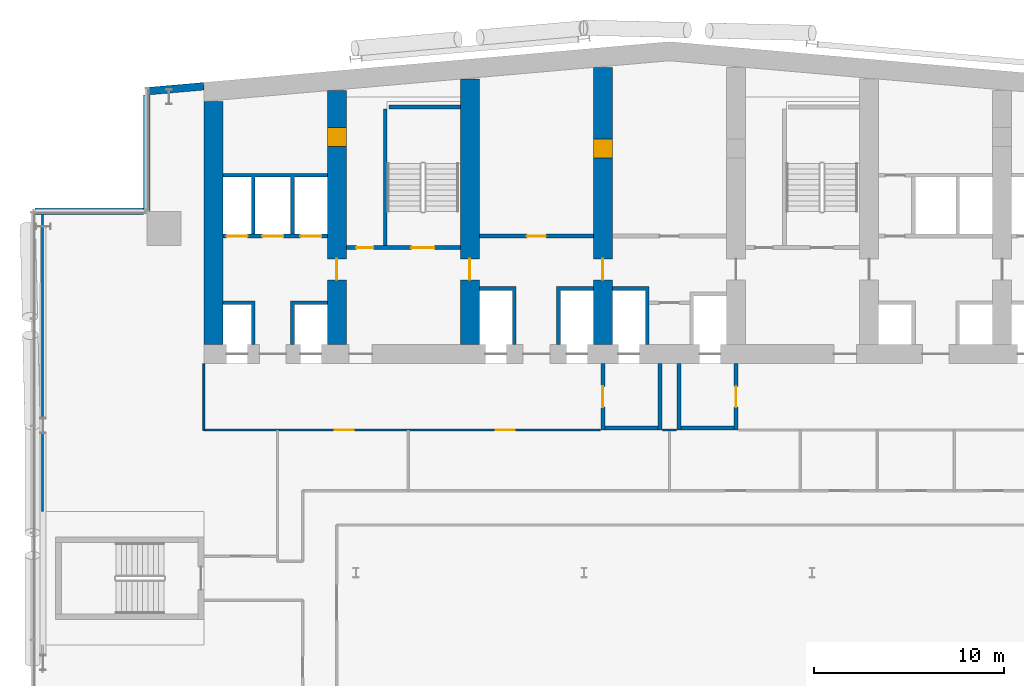
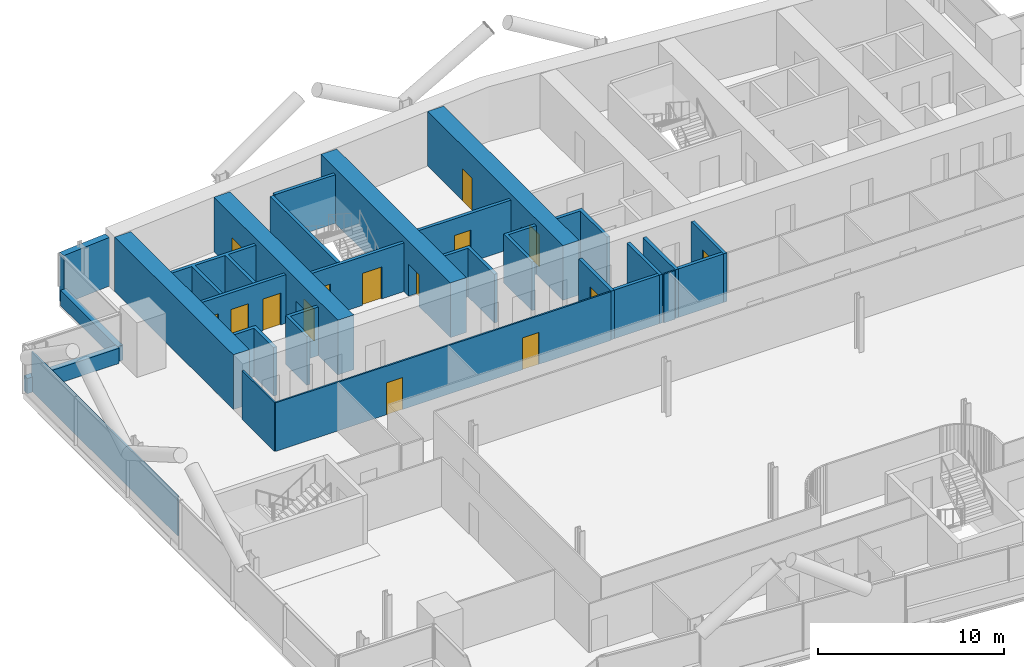
# One storey, part 20 of 30: 28 walls, 15 doors, 15 openings.
"""IFC4 building model written with IfcOpenShell, lengths in metres."""

import ifcopenshell
import ifcopenshell.guid

model = None  # the IFC model being written
_history = None  # IfcOwnerHistory: only IFC2X3 demands one
_inside = {}  # id of a spatial element -> (the spatial element, [elements in it])
_under = {}  # id of a project, library or spatial element -> (it, [spatial elements below it])
_declared = {}  # id of a project -> (the project, [libraries it declares])
_typed = {}  # id of a type object -> (the type object, [elements of that type])
_made_of = {}  # id of a material, layer set ... -> (it, [elements and type objects made of it])


def new_model(schema):
    """Start an empty IFC model of exactly this schema.

    Asked for "IFC4X3", IfcOpenShell would pick the latest addendum, in which some entities
    have other attributes; the version numbers below select the first issue.
    IFC2X3 requires an IfcOwnerHistory on every rooted entity: one is made here for all.
    """
    global model, _history
    if schema == "IFC4X3":
        model = ifcopenshell.file(schema_version=(4, 3, 0, 0))
    else:
        model = ifcopenshell.file(schema=schema)
    _inside.clear()
    _under.clear()
    _declared.clear()
    _typed.clear()
    _made_of.clear()
    _history = None
    if model.schema == "IFC2X3":
        org = make("IfcOrganization", Name="unknown")
        user = make(
            "IfcPersonAndOrganization",
            ThePerson=make("IfcPerson", FamilyName="unknown"),
            TheOrganization=org,
        )
        app = make(
            "IfcApplication",
            ApplicationDeveloper=org,
            Version="unknown",
            ApplicationFullName="unknown",
            ApplicationIdentifier="unknown",
        )
        _history = make(
            "IfcOwnerHistory",
            OwningUser=user,
            OwningApplication=app,
            ChangeAction="ADDED",
            CreationDate=0,
        )
    return model


def make(cls, **values):
    """One entity of the class cls with the attributes given. An attribute that is None is left unset."""
    return model.create_entity(
        cls, **{name: value for name, value in values.items() if value is not None}
    )


def rooted(cls, **values):
    """An entity with a GlobalId (a new one), such as an element, a storey or a relation."""
    return make(cls, GlobalId=ifcopenshell.guid.new(), OwnerHistory=_history, **values)


def si_unit(unit_type, name, prefix=None):
    """IfcSIUnit, for example si_unit("LENGTHUNIT", "METRE", prefix="MILLI")."""
    return make("IfcSIUnit", UnitType=unit_type, Prefix=prefix, Name=name)


def assignment(units):
    """IfcUnitAssignment: the units of a project."""
    return None if units is None else make("IfcUnitAssignment", Units=units)


def point(xyz):
    """IfcCartesianPoint."""
    return None if xyz is None else make("IfcCartesianPoint", Coordinates=xyz)


def direction(xyz):
    """IfcDirection."""
    return None if xyz is None else make("IfcDirection", DirectionRatios=xyz)


def frame(location, z_axis=None, x_axis=None):
    """IfcAxis2Placement3D, a coordinate frame: its origin and axes. An axis left out is left unset."""
    return make(
        "IfcAxis2Placement3D",
        Location=point(location),
        Axis=direction(z_axis),
        RefDirection=direction(x_axis),
    )


def frame_2d(location, x_axis=None):
    """IfcAxis2Placement2D, a coordinate frame in the plane: its origin and x axis."""
    return make(
        "IfcAxis2Placement2D", Location=point(location), RefDirection=direction(x_axis)
    )


def origin():
    """The frame at (0, 0, 0) with its axes left unset."""
    return frame((0.0, 0.0, 0.0))


def place(relative_to, where):
    """IfcLocalPlacement: puts the frame where relative to a parent placement (None: the world)."""
    return make(
        "IfcLocalPlacement", PlacementRelTo=relative_to, RelativePlacement=where
    )


def context(
    kind, dimensions, precision=None, world=None, true_north=None, identifier=None
):
    """IfcGeometricRepresentationContext, for example the 3D "Model" context."""
    return make(
        "IfcGeometricRepresentationContext",
        ContextIdentifier=identifier,
        ContextType=kind,
        CoordinateSpaceDimension=dimensions,
        Precision=precision,
        WorldCoordinateSystem=world,
        TrueNorth=true_north,
    )


def subcontext(parent, identifier, kind, view, scale=None):
    """IfcGeometricRepresentationSubContext, for example "Body" below "Model"."""
    return make(
        "IfcGeometricRepresentationSubContext",
        ContextIdentifier=identifier,
        ContextType=kind,
        ParentContext=parent,
        TargetScale=scale,
        TargetView=view,
    )


def project(units=None, contexts=None):
    """IfcProject with its units and contexts."""
    return rooted(
        "IfcProject",
        Name="project",
        RepresentationContexts=contexts,
        UnitsInContext=assignment(units),
    )


def spatial(cls, under=None, at=None, **own):
    """A site, building, storey or space (cls), placed at a placement, below another one or the project."""
    s = rooted(cls, ObjectPlacement=at, **own)
    if under is not None:
        _under.setdefault(under.id(), (under, []))[1].append(s)
    return s


def polyline(points):
    """IfcPolyline through the points."""
    return make("IfcPolyline", Points=[point(p) for p in points])


def profile(cls, at=None, kind="AREA", **sizes):
    """A parametric profile (cls). Its sizes go by their IFC names, for example OverallWidth=200.0."""
    return make(cls, ProfileType=kind, Position=at, **sizes)


def rectangle(**sizes):
    """IfcRectangleProfileDef."""
    return profile("IfcRectangleProfileDef", **sizes)


def outline(outer, holes=None, kind="AREA"):
    """IfcArbitraryClosedProfileDef: a profile drawn as a closed curve; with holes, ...WithVoids."""
    if holes is None:
        return make("IfcArbitraryClosedProfileDef", ProfileType=kind, OuterCurve=outer)
    return make(
        "IfcArbitraryProfileDefWithVoids",
        ProfileType=kind,
        OuterCurve=outer,
        InnerCurves=holes,
    )


def extrude(swept, where, along, depth):
    """IfcExtrudedAreaSolid: the profile swept, set in the frame where, extruded along a direction by depth."""
    return make(
        "IfcExtrudedAreaSolid",
        SweptArea=swept,
        Position=where,
        ExtrudedDirection=direction(along),
        Depth=depth,
    )


def shape(context_of_items, identifier, shape_type, items):
    """IfcShapeRepresentation: the items that make up one representation, for example the "Body"."""
    return make(
        "IfcShapeRepresentation",
        ContextOfItems=context_of_items,
        RepresentationIdentifier=identifier,
        RepresentationType=shape_type,
        Items=items,
    )


def material(Name=None, Category=None):
    """IfcMaterial."""
    return make("IfcMaterial", Name=Name, Category=Category)


def layer(
    of_material, thickness, ventilated=None, Name=None, Category=None, Priority=None
):
    """IfcMaterialLayer: one layer of a wall or slab, of a material (None: an air gap)."""
    return make(
        "IfcMaterialLayer",
        Material=of_material,
        LayerThickness=thickness,
        IsVentilated=ventilated,
        Name=Name,
        Category=Category,
        Priority=Priority,
    )


def layer_set(layers, Name=None):
    """IfcMaterialLayerSet."""
    return make("IfcMaterialLayerSet", MaterialLayers=layers, LayerSetName=Name)


def made_of(thing, what):
    """Note that an element or type object is made of a material, layer set ...; save() writes the relation."""
    if what is not None:
        _made_of.setdefault(what.id(), (what, []))[1].append(thing)
    return thing


def type_object(cls, material=None, **own):
    """A type object (cls), such as IfcWallType, which elements share."""
    return made_of(rooted(cls, **own), material)


def element(
    cls,
    number,
    at=None,
    inside=None,
    cuts=None,
    type_object=None,
    material=None,
    context=None,
    identifier="Body",
    shape_type=None,
    held_by="IfcProductDefinitionShape",
    body=None,
    shapes=None,
    **own,
):
    """One element of the class cls, such as IfcWall. Its Tag is "e" and its number.

    at: its placement. inside: the storey or other place that contains it. cuts: it is an
    opening in that element (IfcRelVoidsElement). A single representation is given by context,
    identifier, shape_type and body (its items); several are given by shapes. held_by: the class
    of the entity that holds the representations. save() writes the other relations.
    """
    e = rooted(cls, Tag="e%d" % number, ObjectPlacement=at, **own)
    if body is not None:
        shapes = [shape(context, identifier, shape_type, body)]
    if shapes is not None:
        e.Representation = make(held_by, Representations=shapes)
    if inside is not None:
        _inside.setdefault(inside.id(), (inside, []))[1].append(e)
    if cuts is not None:
        rooted(
            "IfcRelVoidsElement", RelatingBuildingElement=cuts, RelatedOpeningElement=e
        )
    if type_object is not None:
        _typed.setdefault(type_object.id(), (type_object, []))[1].append(e)
    return made_of(e, material)


def fill(opening, filler):
    """IfcRelFillsElement: the door or window that sits in an opening."""
    return rooted(
        "IfcRelFillsElement",
        RelatingOpeningElement=opening,
        RelatedBuildingElement=filler,
    )


def aggregate(whole, parts):
    """IfcRelAggregates: a whole, such as a stair, and the parts it consists of."""
    return rooted("IfcRelAggregates", RelatingObject=whole, RelatedObjects=parts)


def save(model, path):
    """Write the relations noted so far, then the file.

    IfcRelAggregates (storeys below a building ...), IfcRelContainedInSpatialStructure (elements
    in a storey), IfcRelDefinesByType, IfcRelAssociatesMaterial and IfcRelDeclares: one each for
    every whole, place, type object, material and project.
    """
    for whole, parts in _under.values():
        aggregate(whole, parts)
    for where, things in _inside.values():
        rooted(
            "IfcRelContainedInSpatialStructure",
            RelatedElements=things,
            RelatingStructure=where,
        )
    for kind, things in _typed.values():
        rooted("IfcRelDefinesByType", RelatedObjects=things, RelatingType=kind)
    for what, things in _made_of.values():
        rooted("IfcRelAssociatesMaterial", RelatedObjects=things, RelatingMaterial=what)
    for by, libraries in _declared.values():
        rooted("IfcRelDeclares", RelatingContext=by, RelatedDefinitions=libraries)
    model.write(path)


model = new_model("IFC4")

# Units and contexts
model_context = context("Model", 3, precision=1e-05, world=origin(), true_north=direction((0.0, 1.0)))
body_context = subcontext(model_context, "Body", "Model", "MODEL_VIEW")
ifc_project = project(units=[si_unit("LENGTHUNIT", "METRE"), si_unit("AREAUNIT", "SQUARE_METRE"), si_unit("VOLUMEUNIT", "CUBIC_METRE"), si_unit("PLANEANGLEUNIT", "RADIAN"), si_unit("MASSUNIT", "GRAM", prefix="KILO")], contexts=[model_context])

# Site, building, storey
site_placement = place(None, origin())
site = spatial("IfcSite", under=ifc_project, at=site_placement, CompositionType="ELEMENT")
building_placement = place(site_placement, origin())
building = spatial("IfcBuilding", under=site, at=building_placement, Name="Wharfspan Tower", CompositionType="ELEMENT")
storey_placement = place(building_placement, frame((0.0, 0.0, 100.300049)))
storey = spatial("IfcBuildingStorey", under=building, at=storey_placement, Name="L22", CompositionType="ELEMENT", Elevation=100.300049)

# Wall
ifc_material_1 = material(Name="Gypsum board on steel studs", Category="steel")
ifc_layer_1 = layer(ifc_material_1, 0.100098)
ifc_layer_set_1 = layer_set([ifc_layer_1], Name="Gypsum board on steel studs")
wall_type_1 = type_object("IfcWallType", Name="Compartment wall 100 EI 60", PredefinedType="PARTITIONING", material=ifc_layer_set_1)
wall_1_placement = place(storey_placement, frame((16.0, 30.5, 0.0), z_axis=(0.0, 0.0, 1.0), x_axis=(0.0, 1.0, 0.0)))
element("IfcWall", 1, at=wall_1_placement, inside=storey, type_object=wall_type_1, Name="Partition L22.w004", PredefinedType="PARTITIONING", context=body_context, shape_type="SweptSolid", body=[
    extrude(rectangle(XDim=3.47998, YDim=0.100098, at=frame_2d((1.73999, 0.0))), origin(), (0.0, 0.0, 1.0), 3.199951),
])

# Wall, openings, doors
wall_2_placement = place(storey_placement, frame((16.0, 30.5, 0.0), z_axis=(0.0, 0.0, 1.0), x_axis=(1.0, 0.0, 0.0)))
wall_2 = element("IfcWall", 2, at=wall_2_placement, inside=storey, type_object=wall_type_1, Name="Partition L22.w005", PredefinedType="PARTITIONING", context=body_context, shape_type="SweptSolid", body=[
    extrude(rectangle(XDim=20.850098, YDim=0.100098, at=frame_2d((10.425049, 0.0))), origin(), (0.0, 0.0, 1.0), 3.199951),
])
opening_1_placement = place(wall_2_placement, frame((6.89502, 0.0, 0.0)))
opening_1 = element("IfcOpeningElement", 3, at=opening_1_placement, cuts=wall_2, Name="Opening B2-20", PredefinedType="OPENING", context=body_context, shape_type="SweptSolid", body=[
    extrude(rectangle(XDim=1.0, YDim=2.100098, at=frame_2d((0.5, 1.050049))), frame((0.0, 0.060059, 0.0), z_axis=(0.0, -1.0, 0.0), x_axis=(1.0, 0.0, 0.0)), (0.0, 0.0, 1.0), 0.120117),
])
opening_2_placement = place(wall_2_placement, frame((15.370117, 0.0, 0.0)))
opening_2 = element("IfcOpeningElement", 4, at=opening_2_placement, cuts=wall_2, Name="Opening B2-21", PredefinedType="OPENING", context=body_context, shape_type="SweptSolid", body=[
    extrude(rectangle(XDim=1.0, YDim=2.100098, at=frame_2d((0.5, 1.050049))), frame((0.0, 0.060059, 0.0), z_axis=(0.0, -1.0, 0.0), x_axis=(1.0, 0.0, 0.0)), (0.0, 0.0, 1.0), 0.120117),
])
ifc_material_2 = material(Name="Fire-rated timber door leaf in steel frame", Category="steel")
door_type_1 = type_object("IfcDoorType", Name="Door 1000 FD30S Left", OperationType="SINGLE_SWING_LEFT", PredefinedType="DOOR", material=ifc_material_2)
door_1_placement = place(opening_1_placement, origin())
door_1 = element("IfcDoor", 5, at=door_1_placement, inside=storey, type_object=door_type_1, Name="Door B2-20", OperationType="SINGLE_SWING_LEFT", OverallHeight=2.100098, OverallWidth=1.0, PredefinedType="DOOR", context=body_context, shape_type="SweptSolid", body=[
    extrude(rectangle(XDim=1.0, YDim=2.100098, at=frame_2d((0.5, 1.050049))), frame((0.0, 0.024902, 0.0), z_axis=(0.0, -1.0, 0.0), x_axis=(1.0, 0.0, 0.0)), (0.0, 0.0, 1.0), 0.050049),
])
fill(opening_1, door_1)
door_2_placement = place(opening_2_placement, origin())
door_2 = element("IfcDoor", 6, at=door_2_placement, inside=storey, type_object=door_type_1, Name="Door B2-21", OperationType="SINGLE_SWING_LEFT", OverallHeight=2.100098, OverallWidth=1.0, PredefinedType="DOOR", context=body_context, shape_type="SweptSolid", body=[
    extrude(rectangle(XDim=1.0, YDim=2.100098, at=frame_2d((0.5, 1.050049))), frame((0.0, 0.024902, 0.0), z_axis=(0.0, -1.0, 0.0), x_axis=(1.0, 0.0, 0.0)), (0.0, 0.0, 1.0), 0.050049),
])
fill(opening_2, door_2)

# Walls
wall_3_placement = place(storey_placement, frame((40.149902, 30.5, 0.0), z_axis=(0.0, 0.0, 1.0), x_axis=(1.0, 0.0, 0.0)))
element("IfcWall", 7, at=wall_3_placement, inside=storey, type_object=wall_type_1, Name="Partition L22.w005 (2)", PredefinedType="PARTITIONING", context=body_context, shape_type="SweptSolid", body=[
    extrude(rectangle(XDim=0.700195, YDim=0.100098, at=frame_2d((0.350098, 0.0))), origin(), (0.0, 0.0, 1.0), 3.199951),
])
ifc_material_3 = material(Name="Concrete C70/85", Category="concrete")
ifc_layer_2 = layer(ifc_material_3, 1.0)
ifc_layer_set_2 = layer_set([ifc_layer_2], Name="Concrete C70/85")
wall_type_2 = type_object("IfcWallType", Name="Core wall 1000 C70/85", PredefinedType="SHEAR", material=ifc_layer_set_2)
wall_4_placement = place(storey_placement, frame((16.5, 35.0, 0.0), z_axis=(0.0, 0.0, 1.0), x_axis=(0.0, 1.0, 0.0)))
element("IfcWall", 8, at=wall_4_placement, inside=storey, type_object=wall_type_2, Name="Core cross wall EW0 L22", PredefinedType="SHEAR", context=body_context, shape_type="SweptSolid", body=[
    extrude(rectangle(XDim=12.783691, YDim=1.0, at=frame_2d((6.391846, 0.0))), origin(), (0.0, 0.0, 1.0), 3.599854),
])

# Wall, openings, doors
wall_5_placement = place(storey_placement, frame((23.0, 35.0, 0.0), z_axis=(0.0, 0.0, 1.0), x_axis=(0.0, 1.0, 0.0)))
wall_5 = element("IfcWall", 9, at=wall_5_placement, inside=storey, type_object=wall_type_2, Name="Core cross wall X2 L22", PredefinedType="SHEAR", context=body_context, shape_type="SweptSolid", body=[
    extrude(rectangle(XDim=13.352295, YDim=1.0, at=frame_2d((6.67627, 0.0))), origin(), (0.0, 0.0, 1.0), 3.599854),
])
opening_3_placement = place(wall_5_placement, frame((10.425537, 0.0, 0.0)))
opening_3 = element("IfcOpeningElement", 10, at=opening_3_placement, cuts=wall_5, Name="Opening CD22.1X", PredefinedType="OPENING", context=body_context, shape_type="SweptSolid", body=[
    extrude(rectangle(XDim=1.0, YDim=2.100098, at=frame_2d((0.5, 1.050049))), frame((0.0, 0.51001, 0.0), z_axis=(0.0, -1.0, 0.0), x_axis=(1.0, 0.0, 0.0)), (0.0, 0.0, 1.0), 1.02002),
])
opening_4_placement = place(wall_5_placement, frame((3.399902, 0.0, 0.0)))
opening_4 = element("IfcOpeningElement", 11, at=opening_4_placement, cuts=wall_5, Name="Opening CC22.2", PredefinedType="OPENING", context=body_context, shape_type="SweptSolid", body=[
    extrude(rectangle(XDim=1.100098, YDim=2.100098, at=frame_2d((0.550049, 1.050049))), frame((0.0, 0.51001, 0.0), z_axis=(0.0, -1.0, 0.0), x_axis=(1.0, 0.0, 0.0)), (0.0, 0.0, 1.0), 1.02002),
])
ifc_material_4 = material(Name="Steel door leaf", Category="steel")
door_type_2 = type_object("IfcDoorType", Name="Core corridor door 1100x2100", OperationType="SINGLE_SWING_LEFT", PredefinedType="DOOR", material=ifc_material_4)
door_3_placement = place(opening_4_placement, origin())
door_3 = element("IfcDoor", 12, at=door_3_placement, inside=storey, type_object=door_type_2, Name="xd:L22:2", OperationType="SINGLE_SWING_RIGHT", OverallHeight=2.100098, OverallWidth=1.100098, PredefinedType="DOOR", context=body_context, shape_type="SweptSolid", body=[
    extrude(rectangle(XDim=1.100098, YDim=2.100098, at=frame_2d((0.550049, 1.050049))), frame((0.0, 0.024902, 0.0), z_axis=(0.0, -1.0, 0.0), x_axis=(1.0, 0.0, 0.0)), (0.0, 0.0, 1.0), 0.050049),
])
fill(opening_4, door_3)
door_type_3 = type_object("IfcDoorType", Name="Core room door 1000x2100", OperationType="SINGLE_SWING_LEFT", PredefinedType="DOOR", material=ifc_material_4)
door_4_placement = place(opening_3_placement, origin())
door_4 = element("IfcDoor", 13, at=door_4_placement, inside=storey, type_object=door_type_3, Name="d:L22:1:sx", OperationType="SINGLE_SWING_LEFT", OverallHeight=2.100098, OverallWidth=1.0, PredefinedType="DOOR", context=body_context, shape_type="SweptSolid", body=[
    extrude(rectangle(XDim=1.0, YDim=2.100098, at=frame_2d((0.5, 1.050049))), frame((0.0, 0.499756, 0.0), z_axis=(0.0, -1.0, 0.0), x_axis=(1.0, 0.0, 0.0)), (0.0, 0.0, 1.0), 0.999512),
])
fill(opening_3, door_4)

# Wall, opening, door
wall_6_placement = place(storey_placement, frame((30.0, 35.0, 0.0), z_axis=(0.0, 0.0, 1.0), x_axis=(0.0, 1.0, 0.0)))
wall_6 = element("IfcWall", 14, at=wall_6_placement, inside=storey, type_object=wall_type_2, Name="Core cross wall X3 L22", PredefinedType="SHEAR", context=body_context, shape_type="SweptSolid", body=[
    extrude(rectangle(XDim=13.9646, YDim=1.0, at=frame_2d((6.982422, 0.0))), origin(), (0.0, 0.0, 1.0), 3.599854),
])
opening_5_placement = place(wall_6_placement, frame((3.399902, 0.0, 0.0)))
opening_5 = element("IfcOpeningElement", 15, at=opening_5_placement, cuts=wall_6, Name="Opening CC22.3", PredefinedType="OPENING", context=body_context, shape_type="SweptSolid", body=[
    extrude(rectangle(XDim=1.100098, YDim=2.100098, at=frame_2d((0.550049, 1.050049))), frame((0.0, 0.51001, 0.0), z_axis=(0.0, -1.0, 0.0), x_axis=(1.0, 0.0, 0.0)), (0.0, 0.0, 1.0), 1.02002),
])
door_5_placement = place(opening_5_placement, origin())
door_5 = element("IfcDoor", 16, at=door_5_placement, inside=storey, type_object=door_type_2, Name="xd:L22:3", OperationType="SINGLE_SWING_LEFT", OverallHeight=2.100098, OverallWidth=1.100098, PredefinedType="DOOR", context=body_context, shape_type="SweptSolid", body=[
    extrude(rectangle(XDim=1.100098, YDim=2.100098, at=frame_2d((0.550049, 1.050049))), frame((0.0, 0.024902, 0.0), z_axis=(0.0, -1.0, 0.0), x_axis=(1.0, 0.0, 0.0)), (0.0, 0.0, 1.0), 0.050049),
])
fill(opening_5, door_5)

# Wall, openings, doors
wall_7_placement = place(storey_placement, frame((37.0, 35.0, 0.0), z_axis=(0.0, 0.0, 1.0), x_axis=(0.0, 1.0, 0.0)))
wall_7 = element("IfcWall", 17, at=wall_7_placement, inside=storey, type_object=wall_type_2, Name="Core cross wall X4 L22", PredefinedType="SHEAR", context=body_context, shape_type="SweptSolid", body=[
    extrude(rectangle(XDim=14.577148, YDim=1.0, at=frame_2d((7.288574, 0.0))), origin(), (0.0, 0.0, 1.0), 3.599854),
])
opening_6_placement = place(wall_7_placement, frame((3.399902, 0.0, 0.0)))
opening_6 = element("IfcOpeningElement", 18, at=opening_6_placement, cuts=wall_7, Name="Opening CC22.4", PredefinedType="OPENING", context=body_context, shape_type="SweptSolid", body=[
    extrude(rectangle(XDim=1.100098, YDim=2.100098, at=frame_2d((0.550049, 1.050049))), frame((0.0, 0.51001, 0.0), z_axis=(0.0, -1.0, 0.0), x_axis=(1.0, 0.0, 0.0)), (0.0, 0.0, 1.0), 1.02002),
])
opening_7_placement = place(wall_7_placement, frame((9.800049, 0.0, 0.0)))
opening_7 = element("IfcOpeningElement", 19, at=opening_7_placement, cuts=wall_7, Name="Opening CR22.4", PredefinedType="OPENING", context=body_context, shape_type="SweptSolid", body=[
    extrude(rectangle(XDim=1.0, YDim=2.100098, at=frame_2d((0.5, 1.050049))), frame((0.0, 0.51001, 0.0), z_axis=(0.0, -1.0, 0.0), x_axis=(1.0, 0.0, 0.0)), (0.0, 0.0, 1.0), 1.02002),
])
door_6_placement = place(opening_6_placement, origin())
door_6 = element("IfcDoor", 20, at=door_6_placement, inside=storey, type_object=door_type_2, Name="xd:L22:4", OperationType="SINGLE_SWING_RIGHT", OverallHeight=2.100098, OverallWidth=1.100098, PredefinedType="DOOR", context=body_context, shape_type="SweptSolid", body=[
    extrude(rectangle(XDim=1.100098, YDim=2.100098, at=frame_2d((0.550049, 1.050049))), frame((0.0, 0.024902, 0.0), z_axis=(0.0, -1.0, 0.0), x_axis=(1.0, 0.0, 0.0)), (0.0, 0.0, 1.0), 0.050049),
])
fill(opening_6, door_6)
door_7_placement = place(opening_7_placement, origin())
door_7 = element("IfcDoor", 21, at=door_7_placement, inside=storey, type_object=door_type_3, Name="xr:L22:4", OperationType="SINGLE_SWING_RIGHT", OverallHeight=2.100098, OverallWidth=1.0, PredefinedType="DOOR", context=body_context, shape_type="SweptSolid", body=[
    extrude(rectangle(XDim=1.0, YDim=2.100098, at=frame_2d((0.5, 1.050049))), frame((0.0, 0.499756, 0.0), z_axis=(0.0, -1.0, 0.0), x_axis=(1.0, 0.0, 0.0)), (0.0, 0.0, 1.0), 0.999512),
])
fill(opening_7, door_7)

ifc_material_5 = material(Name="Concrete C30/37", Category="concrete")
ifc_layer_3 = layer(ifc_material_5, 0.199951)
ifc_layer_set_3 = layer_set([ifc_layer_3], Name="Concrete C30/37")
wall_type_3 = type_object("IfcWallType", Name="Lift shaft wall 200", PredefinedType="PARTITIONING", material=ifc_layer_set_3)
wall_8_placement = place(storey_placement, frame((17.0, 40.699951, 0.0), z_axis=(0.0, 0.0, 1.0), x_axis=(1.0, 0.0, 0.0)))
wall_8 = element("IfcWall", 22, at=wall_8_placement, inside=storey, type_object=wall_type_3, Name="sw:L22:RF1", PredefinedType="PARTITIONING", context=body_context, shape_type="SweptSolid", body=[
    extrude(rectangle(XDim=5.5, YDim=0.199951, at=frame_2d((2.75, 0.0))), origin(), (0.0, 0.0, 1.0), 3.199951),
])
opening_8_placement = place(wall_8_placement, frame((0.199951, 0.0, 0.0)))
opening_8 = element("IfcOpeningElement", 23, at=opening_8_placement, cuts=wall_8, Name="Opening LD.LA3.L22", PredefinedType="OPENING", context=body_context, shape_type="SweptSolid", body=[
    extrude(rectangle(XDim=1.100098, YDim=2.100098, at=frame_2d((0.550049, 1.050049))), frame((0.0, 0.109863, 0.0), z_axis=(0.0, -1.0, 0.0), x_axis=(1.0, 0.0, 0.0)), (0.0, 0.0, 1.0), 0.219971),
])
opening_9_placement = place(wall_8_placement, frame((2.083252, 0.0, 0.0)))
opening_9 = element("IfcOpeningElement", 24, at=opening_9_placement, cuts=wall_8, Name="Opening LD.LA4.L22", PredefinedType="OPENING", context=body_context, shape_type="SweptSolid", body=[
    extrude(rectangle(XDim=1.100098, YDim=2.100098, at=frame_2d((0.550049, 1.050049))), frame((0.0, 0.109863, 0.0), z_axis=(0.0, -1.0, 0.0), x_axis=(1.0, 0.0, 0.0)), (0.0, 0.0, 1.0), 0.219971),
])
opening_10_placement = place(wall_8_placement, frame((4.083252, 0.0, 0.0)))
opening_10 = element("IfcOpeningElement", 25, at=opening_10_placement, cuts=wall_8, Name="Opening LD.LA5.L22", PredefinedType="OPENING", context=body_context, shape_type="SweptSolid", body=[
    extrude(rectangle(XDim=1.100098, YDim=2.100098, at=frame_2d((0.550049, 1.050049))), frame((0.0, 0.109863, 0.0), z_axis=(0.0, -1.0, 0.0), x_axis=(1.0, 0.0, 0.0)), (0.0, 0.0, 1.0), 0.219971),
])
ifc_material_6 = material(Name="Stainless steel", Category="steel")
door_type_4 = type_object("IfcDoorType", Name="Lift landing door 1100x2100", OperationType="DOUBLE_DOOR_SLIDING", PredefinedType="DOOR", material=ifc_material_6)
door_8_placement = place(opening_8_placement, origin())
door_8 = element("IfcDoor", 26, at=door_8_placement, inside=storey, type_object=door_type_4, Name="Landing door LA3 L22", OperationType="DOUBLE_DOOR_SLIDING", OverallHeight=2.100098, OverallWidth=1.100098, PredefinedType="DOOR", context=body_context, shape_type="SweptSolid", body=[
    extrude(rectangle(XDim=1.100098, YDim=2.100098, at=frame_2d((0.550049, 1.050049))), frame((0.0, 0.024902, 0.0), z_axis=(0.0, -1.0, 0.0), x_axis=(1.0, 0.0, 0.0)), (0.0, 0.0, 1.0), 0.050049),
])
fill(opening_8, door_8)
door_9_placement = place(opening_9_placement, origin())
door_9 = element("IfcDoor", 27, at=door_9_placement, inside=storey, type_object=door_type_4, Name="Landing door LA4 L22", OperationType="DOUBLE_DOOR_SLIDING", OverallHeight=2.100098, OverallWidth=1.100098, PredefinedType="DOOR", context=body_context, shape_type="SweptSolid", body=[
    extrude(rectangle(XDim=1.100098, YDim=2.100098, at=frame_2d((0.550049, 1.050049))), frame((0.0, 0.024902, 0.0), z_axis=(0.0, -1.0, 0.0), x_axis=(1.0, 0.0, 0.0)), (0.0, 0.0, 1.0), 0.050049),
])
fill(opening_9, door_9)
door_10_placement = place(opening_10_placement, origin())
door_10 = element("IfcDoor", 28, at=door_10_placement, inside=storey, type_object=door_type_4, Name="Landing door LA5 L22", OperationType="DOUBLE_DOOR_SLIDING", OverallHeight=2.100098, OverallWidth=1.100098, PredefinedType="DOOR", context=body_context, shape_type="SweptSolid", body=[
    extrude(rectangle(XDim=1.100098, YDim=2.100098, at=frame_2d((0.550049, 1.050049))), frame((0.0, 0.024902, 0.0), z_axis=(0.0, -1.0, 0.0), x_axis=(1.0, 0.0, 0.0)), (0.0, 0.0, 1.0), 0.050049),
])
fill(opening_10, door_10)

# Walls
wall_9_placement = place(storey_placement, frame((0.0, 0.0, -0.000244)))
element("IfcWall", 29, at=wall_9_placement, inside=storey, type_object=wall_type_3, Name="sw:L22:FM1.0", PredefinedType="PARTITIONING", context=body_context, shape_type="SweptSolid", body=[
    extrude(outline(polyline([(18.5, 37.100098), (17.0, 37.100098), (17.0, 37.300049), (18.5, 37.300049), (18.699951, 37.300049), (18.699951, 35.0), (18.5, 35.0), (18.5, 37.100098)])), origin(), (0.0, 0.0, 1.0), 3.200195),
])
wall_10_placement = place(storey_placement, frame((0.0, 0.0, -0.000244)))
element("IfcWall", 30, at=wall_10_placement, inside=storey, type_object=wall_type_3, Name="sw:L22:FM1.1", PredefinedType="PARTITIONING", context=body_context, shape_type="SweptSolid", body=[
    extrude(outline(polyline([(20.56665, 37.300049), (20.766602, 37.300049), (22.5, 37.300049), (22.5, 37.100098), (20.766602, 37.100098), (20.766602, 35.0), (20.56665, 35.0), (20.56665, 37.300049)])), origin(), (0.0, 0.0, 1.0), 3.200195),
])
wall_11_placement = place(storey_placement, frame((0.0, 0.0, -0.000244)))
element("IfcWall", 31, at=wall_11_placement, inside=storey, type_object=wall_type_3, Name="sw:L22:RM1.0", PredefinedType="PARTITIONING", context=body_context, shape_type="SweptSolid", body=[
    extrude(outline(polyline([(18.699951, 40.800049), (18.5, 40.800049), (18.5, 43.800049), (17.0, 43.800049), (17.0, 44.0), (22.5, 44.0), (22.5, 43.800049), (20.766602, 43.800049), (20.766602, 40.800049), (20.56665, 40.800049), (20.56665, 43.800049), (18.699951, 43.800049), (18.699951, 40.800049)])), origin(), (0.0, 0.0, 1.0), 3.200195),
])

# Wall, opening, door
wall_12_placement = place(storey_placement, frame((30.5, 40.699951, 0.0), z_axis=(0.0, 0.0, 1.0), x_axis=(1.0, 0.0, 0.0)))
wall_12 = element("IfcWall", 32, at=wall_12_placement, inside=storey, type_object=wall_type_3, Name="sw:L22:RF3", PredefinedType="PARTITIONING", context=body_context, shape_type="SweptSolid", body=[
    extrude(rectangle(XDim=6.0, YDim=0.199951, at=frame_2d((3.0, 0.0))), origin(), (0.0, 0.0, 1.0), 3.199951),
])
opening_11_placement = place(wall_12_placement, frame((2.5, 0.0, 0.0)))
opening_11 = element("IfcOpeningElement", 33, at=opening_11_placement, cuts=wall_12, Name="Opening CD22.3S", PredefinedType="OPENING", context=body_context, shape_type="SweptSolid", body=[
    extrude(rectangle(XDim=1.0, YDim=2.100098, at=frame_2d((0.5, 1.050049))), frame((0.0, 0.109863, 0.0), z_axis=(0.0, -1.0, 0.0), x_axis=(1.0, 0.0, 0.0)), (0.0, 0.0, 1.0), 0.219971),
])
door_11_placement = place(opening_11_placement, origin())
door_11 = element("IfcDoor", 34, at=door_11_placement, inside=storey, type_object=door_type_3, Name="d:L22:3:sf", OperationType="SINGLE_SWING_LEFT", OverallHeight=2.100098, OverallWidth=1.0, PredefinedType="DOOR", context=body_context, shape_type="SweptSolid", body=[
    extrude(rectangle(XDim=1.0, YDim=2.100098, at=frame_2d((0.5, 1.050049))), frame((0.0, 0.024902, 0.0), z_axis=(0.0, -1.0, 0.0), x_axis=(1.0, 0.0, 0.0)), (0.0, 0.0, 1.0), 0.050049),
])
fill(opening_11, door_11)

# Walls
wall_13_placement = place(storey_placement, frame((0.0, 0.0, -0.000244)))
element("IfcWall", 35, at=wall_13_placement, inside=storey, type_object=wall_type_3, Name="sw:L22:FM3.0", PredefinedType="PARTITIONING", context=body_context, shape_type="SweptSolid", body=[
    extrude(outline(polyline([(32.233398, 37.850098), (30.5, 37.850098), (30.5, 38.050049), (32.233398, 38.050049), (32.43335, 38.050049), (32.43335, 35.0), (32.233398, 35.0), (32.233398, 37.850098)])), origin(), (0.0, 0.0, 1.0), 3.200195),
])
wall_14_placement = place(storey_placement, frame((0.0, 0.0, -0.000244)))
element("IfcWall", 36, at=wall_14_placement, inside=storey, type_object=wall_type_3, Name="sw:L22:FM3.1", PredefinedType="PARTITIONING", context=body_context, shape_type="SweptSolid", body=[
    extrude(outline(polyline([(34.56665, 38.050049), (34.766602, 38.050049), (36.5, 38.050049), (36.5, 37.850098), (34.766602, 37.850098), (34.766602, 35.0), (34.56665, 35.0), (34.56665, 38.050049)])), origin(), (0.0, 0.0, 1.0), 3.200195),
])
wall_15_placement = place(storey_placement, frame((0.0, 0.0, -0.000244)))
element("IfcWall", 37, at=wall_15_placement, inside=storey, type_object=wall_type_3, Name="sw:L22:FM4.1", PredefinedType="PARTITIONING", context=body_context, shape_type="SweptSolid", body=[
    extrude(outline(polyline([(39.233398, 37.850098), (37.5, 37.850098), (37.5, 38.050049), (39.233398, 38.050049), (39.43335, 38.050049), (39.43335, 35.0), (39.233398, 35.0), (39.233398, 37.850098)])), origin(), (0.0, 0.0, 1.0), 3.200195),
])

# Wall, opening, door
ifc_layer_4 = layer(ifc_material_5, 0.199951)
ifc_layer_set_4 = layer_set([ifc_layer_4], Name="Concrete C30/37")
wall_type_4 = type_object("IfcWallType", Name="Lobby wall 200", PredefinedType="PARTITIONING", material=ifc_layer_set_4)
wall_16_placement = place(storey_placement, frame((37.0, 30.5, 0.0), z_axis=(0.0, 0.0, 1.0), x_axis=(0.0, 1.0, 0.0)))
wall_16 = element("IfcWall", 38, at=wall_16_placement, inside=storey, type_object=wall_type_4, Name="sw:L22:FLFF1W", PredefinedType="PARTITIONING", context=body_context, shape_type="SweptSolid", body=[
    extrude(rectangle(XDim=3.5, YDim=0.199951, at=frame_2d((1.75, 0.0))), origin(), (0.0, 0.0, 1.0), 3.199951),
])
opening_12_placement = place(wall_16_placement, frame((1.199951, 0.0, 0.0)))
opening_12 = element("IfcOpeningElement", 39, at=opening_12_placement, cuts=wall_16, Name="Opening FL.FF1.L22", PredefinedType="OPENING", context=body_context, shape_type="SweptSolid", body=[
    extrude(rectangle(XDim=1.100098, YDim=2.100098, at=frame_2d((0.550049, 1.050049))), frame((0.0, 0.109863, 0.0), z_axis=(0.0, -1.0, 0.0), x_axis=(1.0, 0.0, 0.0)), (0.0, 0.0, 1.0), 0.219971),
])
door_type_5 = type_object("IfcDoorType", Name="Firefighting lobby door 1100x2100", OperationType="SINGLE_SWING_LEFT", PredefinedType="DOOR", material=ifc_material_4)
door_12_placement = place(opening_12_placement, origin())
door_12 = element("IfcDoor", 40, at=door_12_placement, inside=storey, type_object=door_type_5, Name="fd:L22:FF1", OperationType="SINGLE_SWING_LEFT", OverallHeight=2.100098, OverallWidth=1.100098, PredefinedType="DOOR", context=body_context, shape_type="SweptSolid", body=[
    extrude(rectangle(XDim=1.100098, YDim=2.100098, at=frame_2d((0.550049, 1.050049))), frame((0.0, 0.024902, 0.0), z_axis=(0.0, -1.0, 0.0), x_axis=(1.0, 0.0, 0.0)), (0.0, 0.0, 1.0), 0.050049),
])
fill(opening_12, door_12)

# Walls
wall_17_placement = place(storey_placement, frame((40.0, 30.5, 0.0), z_axis=(0.0, 0.0, 1.0), x_axis=(0.0, 1.0, 0.0)))
element("IfcWall", 41, at=wall_17_placement, inside=storey, type_object=wall_type_4, Name="sw:L22:FLFF1E", PredefinedType="PARTITIONING", context=body_context, shape_type="SweptSolid", body=[
    extrude(rectangle(XDim=3.5, YDim=0.199951, at=frame_2d((1.75, 0.0))), origin(), (0.0, 0.0, 1.0), 3.199951),
])
wall_18_placement = place(storey_placement, frame((37.100098, 30.600098, 0.0), z_axis=(0.0, 0.0, 1.0), x_axis=(1.0, 0.0, 0.0)))
element("IfcWall", 42, at=wall_18_placement, inside=storey, type_object=wall_type_4, Name="sw:L22:FLFF1F", PredefinedType="PARTITIONING", context=body_context, shape_type="SweptSolid", body=[
    extrude(rectangle(XDim=2.799805, YDim=0.199951, at=frame_2d((1.399902, 0.0))), origin(), (0.0, 0.0, 1.0), 3.199951),
])
wall_19_placement = place(storey_placement, frame((41.0, 30.5, 0.0), z_axis=(0.0, 0.0, 1.0), x_axis=(0.0, 1.0, 0.0)))
element("IfcWall", 43, at=wall_19_placement, inside=storey, type_object=wall_type_4, Name="sw:L22:FLFF2W", PredefinedType="PARTITIONING", context=body_context, shape_type="SweptSolid", body=[
    extrude(rectangle(XDim=3.5, YDim=0.199951, at=frame_2d((1.75, 0.0))), origin(), (0.0, 0.0, 1.0), 3.199951),
])

# Wall, opening, door
wall_20_placement = place(storey_placement, frame((44.0, 30.5, 0.0), z_axis=(0.0, 0.0, 1.0), x_axis=(0.0, 1.0, 0.0)))
wall_20 = element("IfcWall", 44, at=wall_20_placement, inside=storey, type_object=wall_type_4, Name="sw:L22:FLFF2E", PredefinedType="PARTITIONING", context=body_context, shape_type="SweptSolid", body=[
    extrude(rectangle(XDim=3.5, YDim=0.199951, at=frame_2d((1.75, 0.0))), origin(), (0.0, 0.0, 1.0), 3.199951),
])
opening_13_placement = place(wall_20_placement, frame((1.199951, 0.0, 0.0)))
opening_13 = element("IfcOpeningElement", 45, at=opening_13_placement, cuts=wall_20, Name="Opening FL.FF2.L22", PredefinedType="OPENING", context=body_context, shape_type="SweptSolid", body=[
    extrude(rectangle(XDim=1.100098, YDim=2.100098, at=frame_2d((0.550049, 1.050049))), frame((0.0, 0.109863, 0.0), z_axis=(0.0, -1.0, 0.0), x_axis=(1.0, 0.0, 0.0)), (0.0, 0.0, 1.0), 0.219971),
])
door_13_placement = place(opening_13_placement, origin())
door_13 = element("IfcDoor", 46, at=door_13_placement, inside=storey, type_object=door_type_5, Name="fd:L22:FF2", OperationType="SINGLE_SWING_LEFT", OverallHeight=2.100098, OverallWidth=1.100098, PredefinedType="DOOR", context=body_context, shape_type="SweptSolid", body=[
    extrude(rectangle(XDim=1.100098, YDim=2.100098, at=frame_2d((0.550049, 1.050049))), frame((0.0, 0.024902, 0.0), z_axis=(0.0, -1.0, 0.0), x_axis=(1.0, 0.0, 0.0)), (0.0, 0.0, 1.0), 0.050049),
])
fill(opening_13, door_13)

# Walls
wall_21_placement = place(storey_placement, frame((41.100098, 30.600098, 0.0), z_axis=(0.0, 0.0, 1.0), x_axis=(1.0, 0.0, 0.0)))
element("IfcWall", 47, at=wall_21_placement, inside=storey, type_object=wall_type_4, Name="sw:L22:FLFF2F", PredefinedType="PARTITIONING", context=body_context, shape_type="SweptSolid", body=[
    extrude(rectangle(XDim=2.799805, YDim=0.199951, at=frame_2d((1.399902, 0.0))), origin(), (0.0, 0.0, 1.0), 3.199951),
])
ifc_layer_5 = layer(ifc_material_1, 0.100098)
ifc_layer_set_5 = layer_set([ifc_layer_5], Name="Gypsum board on steel studs")
wall_type_5 = type_object("IfcWallType", Name="Partition 100", PredefinedType="PARTITIONING", material=ifc_layer_set_5)
wall_22_placement = place(storey_placement, frame((7.51001, 26.219971, 0.0), z_axis=(0.0, 0.0, 1.0), x_axis=(0.0, 1.0, 0.0)))
element("IfcWall", 48, at=wall_22_placement, inside=storey, type_object=wall_type_5, Name="Partition L22.w002", PredefinedType="PARTITIONING", context=body_context, shape_type="SweptSolid", body=[
    extrude(rectangle(XDim=15.76001, YDim=0.100098, at=frame_2d((7.879883, 0.0))), origin(), (0.0, 0.0, 1.0), 2.579834),
])
ifc_material_7 = material(Name="Concrete C40/50", Category="concrete")
ifc_layer_6 = layer(ifc_material_7, 0.350098)
ifc_layer_set_6 = layer_set([ifc_layer_6], Name="Concrete C40/50")
wall_type_6 = type_object("IfcWallType", Name="SPANDREL EXPOSED CONCRETE 350", PredefinedType="SOLIDWALL", material=ifc_layer_set_6)
wall_23_placement = place(storey_placement, frame((12.995117, 48.126465, 0.0), z_axis=(0.0, 0.0, 1.0), x_axis=(0.0, -1.0, 0.0)))
element("IfcWall", 49, at=wall_23_placement, inside=storey, type_object=wall_type_6, Name="Spandrel upstand L22 NRW-V", PredefinedType="SOLIDWALL", context=body_context, shape_type="SweptSolid", body=[
    extrude(rectangle(XDim=6.126465, YDim=0.350098, at=frame_2d((3.063232, 0.0))), origin(), (0.0, 0.0, 1.0), 1.0),
])
wall_24_placement = place(storey_placement, frame((12.820068, 42.004883, 0.0), z_axis=(0.0, 0.0, 1.0), x_axis=(-1.0, 0.0, 0.0)))
element("IfcWall", 50, at=wall_24_placement, inside=storey, type_object=wall_type_6, Name="Spandrel upstand L22 NRW-H", PredefinedType="SOLIDWALL", context=body_context, shape_type="SweptSolid", body=[
    extrude(rectangle(XDim=5.699951, YDim=0.350098, at=frame_2d((2.850098, 0.0))), origin(), (0.0, 0.0, 1.0), 1.0),
])

# Wall, openings, doors
ifc_layer_7 = layer(ifc_material_7, 0.199951)
ifc_layer_set_7 = layer_set([ifc_layer_7], Name="Concrete C40/50")
wall_type_7 = type_object("IfcWallType", Name="Stair shaft wall 200", PredefinedType="SHEAR", material=ifc_layer_set_7)
wall_25_placement = place(storey_placement, frame((23.5, 40.100098, 0.0), z_axis=(0.0, 0.0, 1.0), x_axis=(1.0, 0.0, 0.0)))
wall_25 = element("IfcWall", 51, at=wall_25_placement, inside=storey, type_object=wall_type_7, Name="ST1 stair enclosure wall L22", PredefinedType="SHEAR", context=body_context, shape_type="SweptSolid", body=[
    extrude(rectangle(XDim=6.0, YDim=0.199951, at=frame_2d((3.0, 0.0))), origin(), (0.0, 0.0, 1.0), 3.199951),
])
opening_14_placement = place(wall_25_placement, frame((3.425049, 0.0, 0.0)))
opening_14 = element("IfcOpeningElement", 52, at=opening_14_placement, cuts=wall_25, Name="Opening SD2.L22", PredefinedType="OPENING", context=body_context, shape_type="SweptSolid", body=[
    extrude(rectangle(XDim=1.199951, YDim=2.100098, at=frame_2d((0.600098, 1.050049))), frame((0.0, 0.109863, 0.0), z_axis=(0.0, -1.0, 0.0), x_axis=(1.0, 0.0, 0.0)), (0.0, 0.0, 1.0), 0.219971),
])
opening_15_placement = place(wall_25_placement, frame((0.524902, 0.0, 0.0)))
opening_15 = element("IfcOpeningElement", 53, at=opening_15_placement, cuts=wall_25, Name="Opening CD22.2R", PredefinedType="OPENING", context=body_context, shape_type="SweptSolid", body=[
    extrude(rectangle(XDim=0.899902, YDim=2.100098, at=frame_2d((0.449951, 1.050049))), frame((0.0, 0.109863, 0.0), z_axis=(0.0, -1.0, 0.0), x_axis=(1.0, 0.0, 0.0)), (0.0, 0.0, 1.0), 0.219971),
])
door_14_placement = place(opening_15_placement, origin())
door_14 = element("IfcDoor", 54, at=door_14_placement, inside=storey, type_object=door_type_3, Name="rk:L22:2", OperationType="SINGLE_SWING_LEFT", OverallHeight=2.100098, OverallWidth=0.899902, PredefinedType="DOOR", context=body_context, shape_type="SweptSolid", body=[
    extrude(rectangle(XDim=0.899902, YDim=2.100098, at=frame_2d((0.449951, 1.050049))), frame((0.0, 0.024902, 0.0), z_axis=(0.0, -1.0, 0.0), x_axis=(1.0, 0.0, 0.0)), (0.0, 0.0, 1.0), 0.050049),
])
fill(opening_15, door_14)
door_type_6 = type_object("IfcDoorType", Name="Stair door 1200x2100", OperationType="SINGLE_SWING_LEFT", PredefinedType="DOOR", material=ifc_material_4)
door_15_placement = place(opening_14_placement, origin())
door_15 = element("IfcDoor", 55, at=door_15_placement, inside=storey, type_object=door_type_6, Name="sd:L22:2", OperationType="SINGLE_SWING_RIGHT", OverallHeight=2.100098, OverallWidth=1.199951, PredefinedType="DOOR", context=body_context, shape_type="SweptSolid", body=[
    extrude(rectangle(XDim=1.199951, YDim=2.100098, at=frame_2d((0.600098, 1.050049))), frame((0.0, 0.024902, 0.0), z_axis=(0.0, -1.0, 0.0), x_axis=(1.0, 0.0, 0.0)), (0.0, 0.0, 1.0), 0.050049),
])
fill(opening_14, door_15)

# Walls
wall_26_placement = place(storey_placement, frame((25.550049, 40.199951, 0.0), z_axis=(0.0, 0.0, 1.0), x_axis=(0.0, 1.0, 0.0)))
element("IfcWall", 56, at=wall_26_placement, inside=storey, type_object=wall_type_7, Name="ST1 stair enclosure wall L22", PredefinedType="SHEAR", context=body_context, shape_type="SweptSolid", body=[
    extrude(rectangle(XDim=7.199951, YDim=0.199951, at=frame_2d((3.600098, 0.0))), origin(), (0.0, 0.0, 1.0), 3.199951),
])
wall_27_placement = place(storey_placement, frame((25.75, 47.5, 0.0), z_axis=(0.0, 0.0, 1.0), x_axis=(1.0, 0.0, 0.0)))
element("IfcWall", 57, at=wall_27_placement, inside=storey, type_object=wall_type_7, Name="ST1 stair enclosure wall L22", PredefinedType="SHEAR", context=body_context, shape_type="SweptSolid", body=[
    extrude(rectangle(XDim=3.75, YDim=0.199951, at=frame_2d((1.875, 0.0))), origin(), (0.0, 0.0, 1.0), 3.199951),
])
ifc_layer_8 = layer(ifc_material_7, 0.399902)
ifc_layer_set_8 = layer_set([ifc_layer_8], Name="Concrete C40/50")
wall_type_8 = type_object("IfcWallType", Name="WALL EXPOSED CONCRETE 400", PredefinedType="SOLIDWALL", material=ifc_layer_set_8)
wall_28_placement = place(storey_placement, frame((16.0, 48.58667, 0.0), z_axis=(0.0, 0.0, 1.0), x_axis=(-0.996194, -0.087168, 0.0)))
element("IfcWall", 58, at=wall_28_placement, inside=storey, type_object=wall_type_8, Name="Rear wall N1", PredefinedType="SOLIDWALL", context=body_context, shape_type="SweptSolid", body=[
    extrude(rectangle(XDim=2.994141, YDim=0.399902, at=frame_2d((1.49707, 0.0))), origin(), (0.0, 0.0, 1.0), 3.199951),
])

save(model, "model.ifc")
